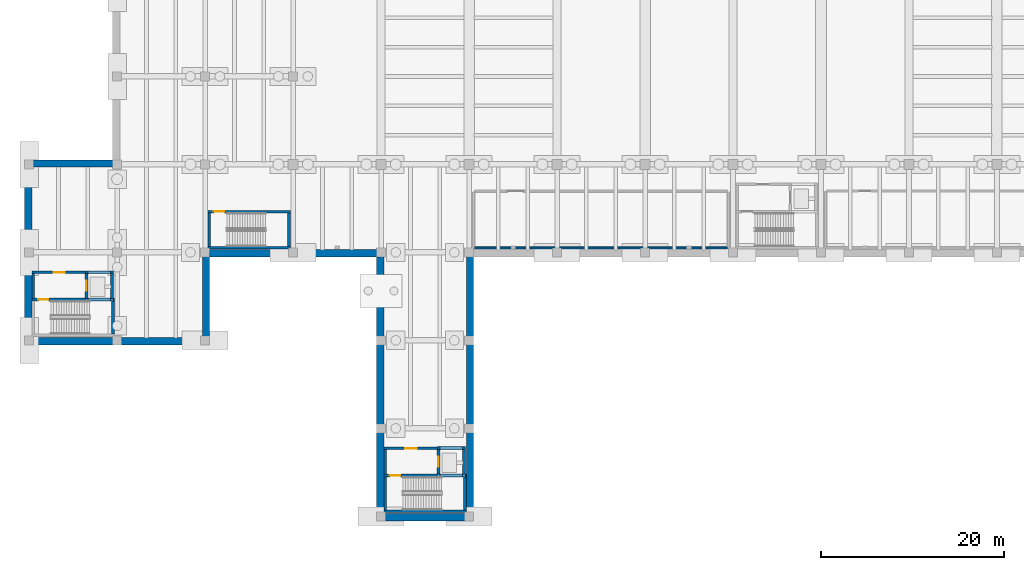
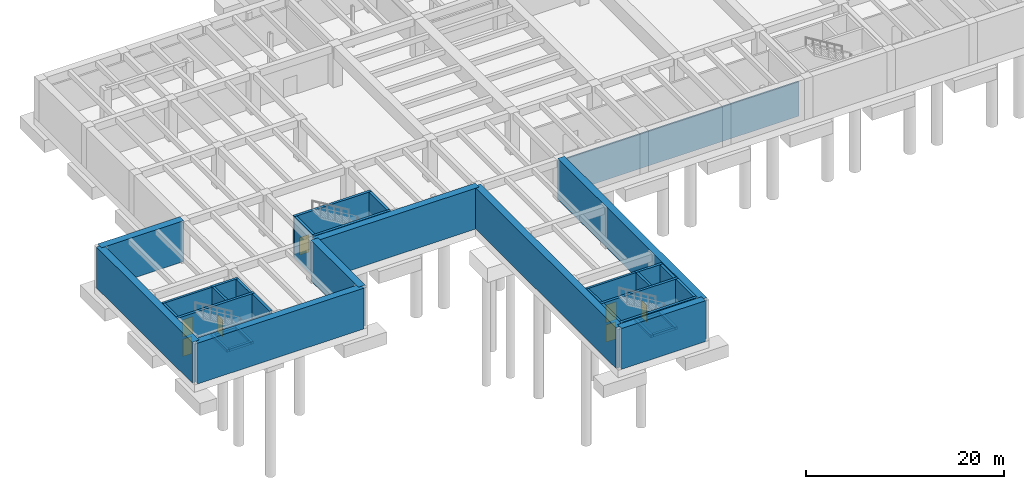
# One storey, part 9 of 24: 37 walls, 7 doors, 7 openings.
"""IFC4 building model written with IfcOpenShell, lengths in metres."""

from ifc_helpers import new_model, si_unit, direction, frame, frame_2d, origin, place, context, subcontext, project, spatial, rectangle, extrude, material, layer, layer_set, type_object, element, fill, save


model = new_model("IFC4")

# Units and contexts
model_context = context("Model", 3, precision=1e-05, world=origin(), true_north=direction((0.0, 1.0)))
body_context = subcontext(model_context, "Body", "Model", "MODEL_VIEW")
ifc_project = project(units=[si_unit("LENGTHUNIT", "METRE"), si_unit("AREAUNIT", "SQUARE_METRE"), si_unit("VOLUMEUNIT", "CUBIC_METRE"), si_unit("PLANEANGLEUNIT", "RADIAN"), si_unit("MASSUNIT", "GRAM", prefix="KILO")], contexts=[model_context])

# Site, building, storey
site_placement = place(None, origin())
site = spatial("IfcSite", under=ifc_project, at=site_placement, CompositionType="ELEMENT")
building_placement = place(site_placement, origin())
building = spatial("IfcBuilding", under=site, at=building_placement, Name="Coralgate Yard Interchange", CompositionType="ELEMENT")
storey_placement = place(building_placement, frame((0.0, 0.0, -10.800048828125)))
storey = spatial("IfcBuildingStorey", under=building, at=storey_placement, Name="B2", CompositionType="ELEMENT", Elevation=-10.800048828125)

# Wall, opening, door
ifc_material_1 = material(Name="Concrete C40/50", Category="concrete")
ifc_layer_1 = layer(ifc_material_1, 0.300048828125)
ifc_layer_set_1 = layer_set([ifc_layer_1], Name="Concrete C40/50")
wall_type_1 = type_object("IfcWallType", Name="WAL-CW300", PredefinedType="SHEAR", material=ifc_layer_set_1)
wall_1_placement = place(storey_placement, frame((18.89990234375, 33.25, 0.0), z_axis=(0.0, 0.0, 1.0), x_axis=(-1.0, 0.0, 0.0)))
wall_1 = element("IfcWall", 1, at=wall_1_placement, inside=storey, type_object=wall_type_1, Name="C1 B2 stair north shear wall", PredefinedType="SHEAR", context=body_context, shape_type="SweptSolid", body=[
    extrude(rectangle(XDim=9.0, YDim=0.300048828125, at=frame_2d((4.5, 0.0))), origin(), (0.0, 0.0, 1.0), 5.050048828125),
])
opening_1_placement = place(wall_1_placement, frame((7.199951171875, 0.0, 0.0)))
opening_1 = element("IfcOpeningElement", 2, at=opening_1_placement, cuts=wall_1, Name="Opening FD-1", PredefinedType="OPENING", context=body_context, shape_type="SweptSolid", body=[
    extrude(rectangle(XDim=1.10009765625, YDim=2.14990234375, at=frame_2d((0.550048828125, 1.074951171875))), frame((0.0, 0.159912109375, 0.0), z_axis=(0.0, -1.0, 0.0), x_axis=(1.0, 0.0, 0.0)), (0.0, 0.0, 1.0), 0.320068359375),
])
ifc_material_2 = material(Name="Powder-coated steel fire door assembly", Category="steel")
door_type_1 = type_object("IfcDoorType", Name="DOR-FD-1", OperationType="NOTDEFINED", PredefinedType="DOOR", material=ifc_material_2)
door_1_placement = place(opening_1_placement, frame((1.10009765625, 0.0, 0.0), z_axis=(0.0, 0.0, 1.0), x_axis=(-1.0, 0.0, 0.0)))
door_1 = element("IfcDoor", 3, at=door_1_placement, inside=storey, type_object=door_type_1, Name="C1 B2 stair fire door", OperationType="SINGLE_SWING_LEFT", OverallHeight=2.14990234375, OverallWidth=1.10009765625, PredefinedType="DOOR", context=body_context, shape_type="SweptSolid", body=[
    extrude(rectangle(XDim=1.10009765625, YDim=2.14990234375, at=frame_2d((0.550048828125, 1.074951171875))), frame((0.0, 0.02490234375, 0.0), z_axis=(0.0, -1.0, 0.0), x_axis=(1.0, 0.0, 0.0)), (0.0, 0.0, 1.0), 0.050048828125),
])
fill(opening_1, door_1)

# Wall
wall_2_placement = place(storey_placement, frame((18.75, 33.10009765625, 0.0), z_axis=(0.0, 0.0, 1.0), x_axis=(0.0, -1.0, 0.0)))
element("IfcWall", 4, at=wall_2_placement, inside=storey, type_object=wall_type_1, Name="C1 B2 stair east shear wall", PredefinedType="SHEAR", context=body_context, shape_type="SweptSolid", body=[
    extrude(rectangle(XDim=3.580078125, YDim=0.300048828125, at=frame_2d((1.7900390625, 0.0))), origin(), (0.0, 0.0, 1.0), 5.050048828125),
])

# Wall, opening, door
wall_3_placement = place(storey_placement, frame((15.85009765625, 36.10009765625, 0.0), z_axis=(0.0, 0.0, 1.0), x_axis=(0.0, -1.0, 0.0)))
wall_3 = element("IfcWall", 5, at=wall_3_placement, inside=storey, type_object=wall_type_1, Name="C1 B2 lift front shear wall", PredefinedType="SHEAR", context=body_context, shape_type="SweptSolid", body=[
    extrude(rectangle(XDim=2.7001953125, YDim=0.300048828125, at=frame_2d((1.35009765625, 0.0))), origin(), (0.0, 0.0, 1.0), 5.050048828125),
])
opening_2_placement = place(wall_3_placement, frame((0.800048828125, 0.0, 0.0)))
opening_2 = element("IfcOpeningElement", 6, at=opening_2_placement, cuts=wall_3, Name="Opening LD-1", PredefinedType="OPENING", context=body_context, shape_type="SweptSolid", body=[
    extrude(rectangle(XDim=1.10009765625, YDim=2.10009765625, at=frame_2d((0.550048828125, 1.050048828125))), frame((0.0, 0.159912109375, 0.0), z_axis=(0.0, -1.0, 0.0), x_axis=(1.0, 0.0, 0.0)), (0.0, 0.0, 1.0), 0.320068359375),
])
ifc_material_3 = material(Name="Brushed stainless steel firefighting lift landing door", Category="steel")
door_type_2 = type_object("IfcDoorType", Name="DOR-LD-1", OperationType="DOUBLE_DOOR_SLIDING", PredefinedType="DOOR", material=ifc_material_3)
door_2_placement = place(opening_2_placement, frame((1.10009765625, 0.0, 0.0), z_axis=(0.0, 0.0, 1.0), x_axis=(-1.0, 0.0, 0.0)))
door_2 = element("IfcDoor", 7, at=door_2_placement, inside=storey, type_object=door_type_2, Name="FFL-01 B2 sliding lift landing door", OperationType="DOUBLE_DOOR_SLIDING", OverallHeight=2.10009765625, OverallWidth=1.10009765625, PredefinedType="DOOR", context=body_context, shape_type="SweptSolid", body=[
    extrude(rectangle(XDim=1.10009765625, YDim=2.10009765625, at=frame_2d((0.550048828125, 1.050048828125))), frame((0.0, 0.02490234375, 0.0), z_axis=(0.0, -1.0, 0.0), x_axis=(1.0, 0.0, 0.0)), (0.0, 0.0, 1.0), 0.050048828125),
])
fill(opening_2, door_2)

# Walls
wall_4_placement = place(storey_placement, frame((18.64990234375, 33.39990234375, 0.0), z_axis=(0.0, 0.0, 1.0), x_axis=(0.0, 1.0, 0.0)))
element("IfcWall", 8, at=wall_4_placement, inside=storey, type_object=wall_type_1, Name="C1 B2 lift rear shear wall", PredefinedType="SHEAR", context=body_context, shape_type="SweptSolid", body=[
    extrude(rectangle(XDim=2.7001953125, YDim=0.300048828125, at=frame_2d((1.35009765625, 0.0))), origin(), (0.0, 0.0, 1.0), 5.050048828125),
])
wall_5_placement = place(storey_placement, frame((15.699951171875, 36.25, 0.0), z_axis=(0.0, 0.0, 1.0), x_axis=(1.0, 0.0, 0.0)))
element("IfcWall", 9, at=wall_5_placement, inside=storey, type_object=wall_type_1, Name="C1 B2 lift north shear wall", PredefinedType="SHEAR", context=body_context, shape_type="SweptSolid", body=[
    extrude(rectangle(XDim=3.10009765625, YDim=0.300048828125, at=frame_2d((1.550048828125, 0.0))), origin(), (0.0, 0.0, 1.0), 5.050048828125),
])
for number, where, z_axis, x_axis, name in (
    (10, (15.85009765625, 33.10009765625, -1.199951171875), (0.0, 0.0, 1.0), (0.0, 1.0, 0.0), "FFL-01 lift pit wall W"),
    (11, (18.64990234375, 33.10009765625, -1.199951171875), (0.0, 0.0, 1.0), (0.0, 1.0, 0.0), "FFL-01 lift pit wall E"),
):
    element("IfcWall", number, at=place(storey_placement, frame(where, z_axis=z_axis, x_axis=x_axis)), inside=storey, type_object=wall_type_1, Name=name, PredefinedType="SHEAR", context=body_context, shape_type="SweptSolid", body=[
        extrude(rectangle(XDim=3.2998046875, YDim=0.300048828125, at=frame_2d((1.64990234375, 0.0))), origin(), (0.0, 0.0, 1.0), 0.320068359375),
    ])
for number, where, z_axis, x_axis, name in (
    (12, (16.0, 33.25, -1.199951171875), (0.0, 0.0, 1.0), (1.0, 0.0, 0.0), "FFL-01 lift pit wall S"),
    (13, (16.0, 36.25, -1.199951171875), (0.0, 0.0, 1.0), (1.0, 0.0, 0.0), "FFL-01 lift pit wall N"),
):
    element("IfcWall", number, at=place(storey_placement, frame(where, z_axis=z_axis, x_axis=x_axis)), inside=storey, type_object=wall_type_1, Name=name, PredefinedType="SHEAR", context=body_context, shape_type="SweptSolid", body=[
        extrude(rectangle(XDim=2.5, YDim=0.300048828125, at=frame_2d((1.25, 0.0))), origin(), (0.0, 0.0, 1.0), 0.320068359375),
    ])
wall_6_placement = place(storey_placement, frame((29.10009765625, 38.89990234375, 0.0), z_axis=(0.0, 0.0, 1.0), x_axis=(1.0, 0.0, 0.0)))
element("IfcWall", 14, at=wall_6_placement, inside=storey, type_object=wall_type_1, Name="C12 B2 stair south shear wall", PredefinedType="SHEAR", context=body_context, shape_type="SweptSolid", body=[
    extrude(rectangle(XDim=9.0, YDim=0.300048828125, at=frame_2d((4.5, 0.0))), origin(), (0.0, 0.0, 1.0), 5.050048828125),
])

# Wall, opening, door
wall_7_placement = place(storey_placement, frame((38.10009765625, 42.85009765625, 0.0), z_axis=(0.0, 0.0, 1.0), x_axis=(-1.0, 0.0, 0.0)))
wall_7 = element("IfcWall", 15, at=wall_7_placement, inside=storey, type_object=wall_type_1, Name="C12 B2 stair north shear wall", PredefinedType="SHEAR", context=body_context, shape_type="SweptSolid", body=[
    extrude(rectangle(XDim=9.0, YDim=0.300048828125, at=frame_2d((4.5, 0.0))), origin(), (0.0, 0.0, 1.0), 5.050048828125),
])
opening_3_placement = place(wall_7_placement, frame((7.199951171875, 0.0, 0.0)))
opening_3 = element("IfcOpeningElement", 16, at=opening_3_placement, cuts=wall_7, Name="Opening FD-1B", PredefinedType="OPENING", context=body_context, shape_type="SweptSolid", body=[
    extrude(rectangle(XDim=1.14990234375, YDim=2.14990234375, at=frame_2d((0.574951171875, 1.074951171875))), frame((0.0, 0.159912109375, 0.0), z_axis=(0.0, -1.0, 0.0), x_axis=(1.0, 0.0, 0.0)), (0.0, 0.0, 1.0), 0.320068359375),
])
door_type_3 = type_object("IfcDoorType", Name="DOR-FD-1B", OperationType="NOTDEFINED", PredefinedType="DOOR", material=ifc_material_2)
door_3_placement = place(opening_3_placement, frame((1.14990234375, 0.0, 0.0), z_axis=(0.0, 0.0, 1.0), x_axis=(-1.0, 0.0, 0.0)))
door_3 = element("IfcDoor", 17, at=door_3_placement, inside=storey, type_object=door_type_3, Name="C12 B2 stair fire door", OperationType="SINGLE_SWING_RIGHT", OverallHeight=2.14990234375, OverallWidth=1.14990234375, PredefinedType="DOOR", context=body_context, shape_type="SweptSolid", body=[
    extrude(rectangle(XDim=1.14990234375, YDim=2.14990234375, at=frame_2d((0.574951171875, 1.074951171875))), frame((0.0, 0.02490234375, 0.0), z_axis=(0.0, -1.0, 0.0), x_axis=(1.0, 0.0, 0.0)), (0.0, 0.0, 1.0), 0.050048828125),
])
fill(opening_3, door_3)

# Walls
for number, where, z_axis, x_axis, name in (
    (18, (29.25, 39.050048828125, 0.0), (0.0, 0.0, 1.0), (0.0, 1.0, 0.0), "C12 B2 stair west shear wall"),
    (19, (37.949951171875, 42.699951171875, 0.0), (0.0, 0.0, 1.0), (0.0, -1.0, 0.0), "C12 B2 stair east shear wall"),
):
    element("IfcWall", number, at=place(storey_placement, frame(where, z_axis=z_axis, x_axis=x_axis)), inside=storey, type_object=wall_type_1, Name=name, PredefinedType="SHEAR", context=body_context, shape_type="SweptSolid", body=[
        extrude(rectangle(XDim=3.64990234375, YDim=0.300048828125, at=frame_2d((1.824951171875, 0.0))), origin(), (0.0, 0.0, 1.0), 5.050048828125),
    ])
wall_8_placement = place(storey_placement, frame((48.300048828125, 10.169921875, 0.0), z_axis=(0.0, 0.0, 1.0), x_axis=(1.0, 0.0, 0.0)))
element("IfcWall", 20, at=wall_8_placement, inside=storey, type_object=wall_type_1, Name="C2 B2 stair south shear wall", PredefinedType="SHEAR", context=body_context, shape_type="SweptSolid", body=[
    extrude(rectangle(XDim=9.0, YDim=0.300048828125, at=frame_2d((4.5, 0.0))), origin(), (0.0, 0.0, 1.0), 5.050048828125),
])

# Wall, opening, door
wall_9_placement = place(storey_placement, frame((57.300048828125, 14.050048828125, 0.0), z_axis=(0.0, 0.0, 1.0), x_axis=(-1.0, 0.0, 0.0)))
wall_9 = element("IfcWall", 21, at=wall_9_placement, inside=storey, type_object=wall_type_1, Name="C2 B2 stair north shear wall", PredefinedType="SHEAR", context=body_context, shape_type="SweptSolid", body=[
    extrude(rectangle(XDim=9.0, YDim=0.300048828125, at=frame_2d((4.5, 0.0))), origin(), (0.0, 0.0, 1.0), 5.050048828125),
])
opening_4_placement = place(wall_9_placement, frame((7.199951171875, 0.0, 0.0)))
opening_4 = element("IfcOpeningElement", 22, at=opening_4_placement, cuts=wall_9, Name="Opening FD-1B", PredefinedType="OPENING", context=body_context, shape_type="SweptSolid", body=[
    extrude(rectangle(XDim=1.14990234375, YDim=2.14990234375, at=frame_2d((0.574951171875, 1.074951171875))), frame((0.0, 0.159912109375, 0.0), z_axis=(0.0, -1.0, 0.0), x_axis=(1.0, 0.0, 0.0)), (0.0, 0.0, 1.0), 0.320068359375),
])
door_4_placement = place(opening_4_placement, frame((1.14990234375, 0.0, 0.0), z_axis=(0.0, 0.0, 1.0), x_axis=(-1.0, 0.0, 0.0)))
door_4 = element("IfcDoor", 23, at=door_4_placement, inside=storey, type_object=door_type_3, Name="C2 B2 stair fire door", OperationType="SINGLE_SWING_RIGHT", OverallHeight=2.14990234375, OverallWidth=1.14990234375, PredefinedType="DOOR", context=body_context, shape_type="SweptSolid", body=[
    extrude(rectangle(XDim=1.14990234375, YDim=2.14990234375, at=frame_2d((0.574951171875, 1.074951171875))), frame((0.0, 0.02490234375, 0.0), z_axis=(0.0, -1.0, 0.0), x_axis=(1.0, 0.0, 0.0)), (0.0, 0.0, 1.0), 0.050048828125),
])
fill(opening_4, door_4)

# Walls
for number, where, z_axis, x_axis, name in (
    (24, (48.449951171875, 10.320068359375, 0.0), (0.0, 0.0, 1.0), (0.0, 1.0, 0.0), "C2 B2 stair west shear wall"),
    (25, (57.14990234375, 13.89990234375, 0.0), (0.0, 0.0, 1.0), (0.0, -1.0, 0.0), "C2 B2 stair east shear wall"),
):
    element("IfcWall", number, at=place(storey_placement, frame(where, z_axis=z_axis, x_axis=x_axis)), inside=storey, type_object=wall_type_1, Name=name, PredefinedType="SHEAR", context=body_context, shape_type="SweptSolid", body=[
        extrude(rectangle(XDim=3.579833984375, YDim=0.300048828125, at=frame_2d((1.7900390625, 0.0))), origin(), (0.0, 0.0, 1.0), 5.050048828125),
    ])

# Wall, opening, door
wall_10_placement = place(storey_placement, frame((54.25, 16.89990234375, 0.0), z_axis=(0.0, 0.0, 1.0), x_axis=(0.0, -1.0, 0.0)))
wall_10 = element("IfcWall", 26, at=wall_10_placement, inside=storey, type_object=wall_type_1, Name="C2 B2 lift front shear wall", PredefinedType="SHEAR", context=body_context, shape_type="SweptSolid", body=[
    extrude(rectangle(XDim=2.699951171875, YDim=0.300048828125, at=frame_2d((1.35009765625, 0.0))), origin(), (0.0, 0.0, 1.0), 5.050048828125),
])
opening_5_placement = place(wall_10_placement, frame((0.800048828125, 0.0, 0.0)))
opening_5 = element("IfcOpeningElement", 27, at=opening_5_placement, cuts=wall_10, Name="Opening LD-1", PredefinedType="OPENING", context=body_context, shape_type="SweptSolid", body=[
    extrude(rectangle(XDim=1.10009765625, YDim=2.10009765625, at=frame_2d((0.550048828125, 1.050048828125))), frame((0.0, 0.159912109375, 0.0), z_axis=(0.0, -1.0, 0.0), x_axis=(1.0, 0.0, 0.0)), (0.0, 0.0, 1.0), 0.320068359375),
])
door_5_placement = place(opening_5_placement, frame((1.10009765625, 0.0, 0.0), z_axis=(0.0, 0.0, 1.0), x_axis=(-1.0, 0.0, 0.0)))
door_5 = element("IfcDoor", 28, at=door_5_placement, inside=storey, type_object=door_type_2, Name="FFL-02 B2 sliding lift landing door", OperationType="DOUBLE_DOOR_SLIDING", OverallHeight=2.10009765625, OverallWidth=1.10009765625, PredefinedType="DOOR", context=body_context, shape_type="SweptSolid", body=[
    extrude(rectangle(XDim=1.10009765625, YDim=2.10009765625, at=frame_2d((0.550048828125, 1.050048828125))), frame((0.0, 0.02490234375, 0.0), z_axis=(0.0, -1.0, 0.0), x_axis=(1.0, 0.0, 0.0)), (0.0, 0.0, 1.0), 0.050048828125),
])
fill(opening_5, door_5)

# Walls
wall_11_placement = place(storey_placement, frame((57.050048828125, 14.199951171875, 0.0), z_axis=(0.0, 0.0, 1.0), x_axis=(0.0, 1.0, 0.0)))
element("IfcWall", 29, at=wall_11_placement, inside=storey, type_object=wall_type_1, Name="C2 B2 lift rear shear wall", PredefinedType="SHEAR", context=body_context, shape_type="SweptSolid", body=[
    extrude(rectangle(XDim=2.699951171875, YDim=0.300048828125, at=frame_2d((1.35009765625, 0.0))), origin(), (0.0, 0.0, 1.0), 5.050048828125),
])
wall_12_placement = place(storey_placement, frame((54.10009765625, 17.050048828125, 0.0), z_axis=(0.0, 0.0, 1.0), x_axis=(1.0, 0.0, 0.0)))
element("IfcWall", 30, at=wall_12_placement, inside=storey, type_object=wall_type_1, Name="C2 B2 lift north shear wall", PredefinedType="SHEAR", context=body_context, shape_type="SweptSolid", body=[
    extrude(rectangle(XDim=3.099853515625, YDim=0.300048828125, at=frame_2d((1.5498046875, 0.0))), origin(), (0.0, 0.0, 1.0), 5.050048828125),
])
for number, where, z_axis, x_axis, name in (
    (31, (54.25, 13.89990234375, -1.199951171875), (0.0, 0.0, 1.0), (0.0, 1.0, 0.0), "FFL-02 lift pit wall W"),
    (32, (57.050048828125, 13.89990234375, -1.199951171875), (0.0, 0.0, 1.0), (0.0, 1.0, 0.0), "FFL-02 lift pit wall E"),
):
    element("IfcWall", number, at=place(storey_placement, frame(where, z_axis=z_axis, x_axis=x_axis)), inside=storey, type_object=wall_type_1, Name=name, PredefinedType="SHEAR", context=body_context, shape_type="SweptSolid", body=[
        extrude(rectangle(XDim=3.300048828125, YDim=0.300048828125, at=frame_2d((1.64990234375, 0.0))), origin(), (0.0, 0.0, 1.0), 0.320068359375),
    ])
for number, where, z_axis, x_axis, name in (
    (33, (54.39990234375, 14.050048828125, -1.199951171875), (0.0, 0.0, 1.0), (1.0, 0.0, 0.0), "FFL-02 lift pit wall S"),
    (34, (54.39990234375, 17.050048828125, -1.199951171875), (0.0, 0.0, 1.0), (1.0, 0.0, 0.0), "FFL-02 lift pit wall N"),
):
    element("IfcWall", number, at=place(storey_placement, frame(where, z_axis=z_axis, x_axis=x_axis)), inside=storey, type_object=wall_type_1, Name=name, PredefinedType="SHEAR", context=body_context, shape_type="SweptSolid", body=[
        extrude(rectangle(XDim=2.5, YDim=0.300048828125, at=frame_2d((1.25, 0.0))), origin(), (0.0, 0.0, 1.0), 0.320068359375),
    ])
ifc_layer_2 = layer(ifc_material_1, 0.800048828125)
ifc_layer_set_2 = layer_set([ifc_layer_2], Name="Concrete C40/50")
wall_type_2 = type_object("IfcWallType", Name="WAL-DW800", PredefinedType="SOLIDWALL", material=ifc_layer_set_2)
wall_13_placement = place(storey_placement, frame((47.89990234375, 38.300048828125, 0.0), z_axis=(0.0, 0.0, 1.0), x_axis=(-1.0, 0.0, 0.0)))
element("IfcWall", 35, at=wall_13_placement, inside=storey, type_object=wall_type_2, Name="B2 diaphragm retaining wall 1", PredefinedType="SOLIDWALL", context=body_context, shape_type="SweptSolid", body=[
    extrude(rectangle(XDim=19.0, YDim=0.800048828125, at=frame_2d((9.5, 0.0))), origin(), (0.0, 0.0, 1.0), 5.050048828125),
])
wall_14_placement = place(storey_placement, frame((28.89990234375, 38.300048828125, 0.0), z_axis=(0.0, 0.0, 1.0), x_axis=(0.0, -1.0, 0.0)))
element("IfcWall", 36, at=wall_14_placement, inside=storey, type_object=wall_type_2, Name="B2 diaphragm retaining wall 2", PredefinedType="SOLIDWALL", context=body_context, shape_type="SweptSolid", body=[
    extrude(rectangle(XDim=9.60009765625, YDim=0.800048828125, at=frame_2d((4.800048828125, 0.0))), origin(), (0.0, 0.0, 1.0), 5.050048828125),
])
wall_15_placement = place(storey_placement, frame((28.89990234375, 28.699951171875, 0.0), z_axis=(0.0, 0.0, 1.0), x_axis=(-1.0, 0.0, 0.0)))
element("IfcWall", 37, at=wall_15_placement, inside=storey, type_object=wall_type_2, Name="B2 diaphragm retaining wall 3", PredefinedType="SOLIDWALL", context=body_context, shape_type="SweptSolid", body=[
    extrude(rectangle(XDim=19.39990234375, YDim=0.800048828125, at=frame_2d((9.699951171875, 0.0))), origin(), (0.0, 0.0, 1.0), 5.050048828125),
])
wall_16_placement = place(storey_placement, frame((9.5, 28.699951171875, 0.0), z_axis=(0.0, 0.0, 1.0), x_axis=(0.0, 1.0, 0.0)))
element("IfcWall", 38, at=wall_16_placement, inside=storey, type_object=wall_type_2, Name="B2 diaphragm retaining wall 4", PredefinedType="SOLIDWALL", context=body_context, shape_type="SweptSolid", body=[
    extrude(rectangle(XDim=19.400146484375, YDim=0.800048828125, at=frame_2d((9.7001953125, 0.0))), origin(), (0.0, 0.0, 1.0), 5.050048828125),
])
wall_17_placement = place(storey_placement, frame((9.5, 48.10009765625, 0.0), z_axis=(0.0, 0.0, 1.0), x_axis=(1.0, 0.0, 0.0)))
element("IfcWall", 39, at=wall_17_placement, inside=storey, type_object=wall_type_2, Name="B2 diaphragm retaining wall 5", PredefinedType="SOLIDWALL", context=body_context, shape_type="SweptSolid", body=[
    extrude(rectangle(XDim=9.60009765625, YDim=0.800048828125, at=frame_2d((4.800048828125, 0.0))), origin(), (0.0, 0.0, 1.0), 5.050048828125),
])
wall_18_placement = place(storey_placement, frame((57.699951171875, 38.300048828125, 0.0), z_axis=(0.0, 0.0, 1.0), x_axis=(0.0, -1.0, 0.0)))
element("IfcWall", 40, at=wall_18_placement, inside=storey, type_object=wall_type_2, Name="B2 diaphragm retaining wall 14", PredefinedType="SOLIDWALL", context=body_context, shape_type="SweptSolid", body=[
    extrude(rectangle(XDim=28.800048828125, YDim=0.800048828125, at=frame_2d((14.39990234375, 0.0))), origin(), (0.0, 0.0, 1.0), 5.050048828125),
])
wall_19_placement = place(storey_placement, frame((57.699951171875, 9.5, 0.0), z_axis=(0.0, 0.0, 1.0), x_axis=(-1.0, 0.0, 0.0)))
element("IfcWall", 41, at=wall_19_placement, inside=storey, type_object=wall_type_2, Name="B2 diaphragm retaining wall 15", PredefinedType="SOLIDWALL", context=body_context, shape_type="SweptSolid", body=[
    extrude(rectangle(XDim=9.800048828125, YDim=0.800048828125, at=frame_2d((4.89990234375, 0.0))), origin(), (0.0, 0.0, 1.0), 5.050048828125),
])
wall_20_placement = place(storey_placement, frame((47.89990234375, 9.5, 0.0), z_axis=(0.0, 0.0, 1.0), x_axis=(0.0, 1.0, 0.0)))
element("IfcWall", 42, at=wall_20_placement, inside=storey, type_object=wall_type_2, Name="B2 diaphragm retaining wall 16", PredefinedType="SOLIDWALL", context=body_context, shape_type="SweptSolid", body=[
    extrude(rectangle(XDim=28.800048828125, YDim=0.800048828125, at=frame_2d((14.39990234375, 0.0))), origin(), (0.0, 0.0, 1.0), 5.050048828125),
])
ifc_material_4 = material(Name="Heavy acoustic concrete blockwork", Category="masonry")
ifc_layer_3 = layer(ifc_material_4, 0.2099609375)
ifc_layer_set_3 = layer_set([ifc_layer_3], Name="Heavy acoustic concrete blockwork")
wall_type_3 = type_object("IfcWallType", Name="WAL-PW-210", PredefinedType="PARTITIONING", material=ifc_layer_set_3)
wall_21_placement = place(storey_placement, frame((85.7900390625, 38.905029296875, 0.0), z_axis=(0.0, 0.0, 1.0), x_axis=(-1.0, 0.0, 0.0)))
element("IfcWall", 43, at=wall_21_placement, inside=storey, type_object=wall_type_3, Name="South Under-Platform Fan Plant partition S", PredefinedType="PARTITIONING", context=body_context, shape_type="SweptSolid", body=[
    extrude(rectangle(XDim=27.580078125, YDim=0.2099609375, at=frame_2d((13.7900390625, 0.0))), origin(), (0.0, 0.0, 1.0), 4.239990234375),
])

# Wall, opening, door
ifc_layer_4 = layer(ifc_material_1, 0.25)
ifc_layer_set_4 = layer_set([ifc_layer_4], Name="Concrete C40/50")
wall_type_4 = type_object("IfcWallType", Name="WAL-SW250", PredefinedType="SHEAR", material=ifc_layer_set_4)
wall_22_placement = place(storey_placement, frame((15.699951171875, 36.22509765625, 0.0), z_axis=(0.0, 0.0, 1.0), x_axis=(-1.0, 0.0, 0.0)))
wall_22 = element("IfcWall", 44, at=wall_22_placement, inside=storey, type_object=wall_type_4, Name="C1 B2 lobby north fire wall", PredefinedType="SHEAR", context=body_context, shape_type="SweptSolid", body=[
    extrude(rectangle(XDim=5.77490234375, YDim=0.25, at=frame_2d((2.887451171875, 0.0))), origin(), (0.0, 0.0, 1.0), 5.050048828125),
])
opening_6_placement = place(wall_22_placement, frame((2.199951171875, 0.0, 0.0)))
opening_6 = element("IfcOpeningElement", 45, at=opening_6_placement, cuts=wall_22, Name="Opening FD-2", PredefinedType="OPENING", context=body_context, shape_type="SweptSolid", body=[
    extrude(rectangle(XDim=1.199951171875, YDim=2.14990234375, at=frame_2d((0.60009765625, 1.074951171875))), frame((0.0, 0.135009765625, 0.0), z_axis=(0.0, -1.0, 0.0), x_axis=(1.0, 0.0, 0.0)), (0.0, 0.0, 1.0), 0.27001953125),
])
door_type_4 = type_object("IfcDoorType", Name="DOR-FD-2", OperationType="NOTDEFINED", PredefinedType="DOOR", material=ifc_material_2)
door_6_placement = place(opening_6_placement, origin())
door_6 = element("IfcDoor", 46, at=door_6_placement, inside=storey, type_object=door_type_4, Name="C1 B2 lobby fire door", OperationType="SINGLE_SWING_RIGHT", OverallHeight=2.14990234375, OverallWidth=1.199951171875, PredefinedType="DOOR", context=body_context, shape_type="SweptSolid", body=[
    extrude(rectangle(XDim=1.199951171875, YDim=2.14990234375, at=frame_2d((0.60009765625, 1.074951171875))), frame((0.0, 0.02490234375, 0.0), z_axis=(0.0, -1.0, 0.0), x_axis=(1.0, 0.0, 0.0)), (0.0, 0.0, 1.0), 0.050048828125),
])
fill(opening_6, door_6)

# Wall
wall_23_placement = place(storey_placement, frame((10.050048828125, 33.39990234375, 0.0), z_axis=(0.0, 0.0, 1.0), x_axis=(0.0, 1.0, 0.0)))
element("IfcWall", 47, at=wall_23_placement, inside=storey, type_object=wall_type_4, Name="C1 B2 lobby west fire wall", PredefinedType="SHEAR", context=body_context, shape_type="SweptSolid", body=[
    extrude(rectangle(XDim=2.7001953125, YDim=0.25, at=frame_2d((1.35009765625, 0.0))), origin(), (0.0, 0.0, 1.0), 5.050048828125),
])

# Wall, opening, door
wall_24_placement = place(storey_placement, frame((54.10009765625, 17.02490234375, 0.0), z_axis=(0.0, 0.0, 1.0), x_axis=(-1.0, 0.0, 0.0)))
wall_24 = element("IfcWall", 48, at=wall_24_placement, inside=storey, type_object=wall_type_4, Name="C2 B2 lobby north fire wall", PredefinedType="SHEAR", context=body_context, shape_type="SweptSolid", body=[
    extrude(rectangle(XDim=5.775146484375, YDim=0.25, at=frame_2d((2.8876953125, 0.0))), origin(), (0.0, 0.0, 1.0), 5.050048828125),
])
opening_7_placement = place(wall_24_placement, frame((2.199951171875, 0.0, 0.0)))
opening_7 = element("IfcOpeningElement", 49, at=opening_7_placement, cuts=wall_24, Name="Opening FD-2B", PredefinedType="OPENING", context=body_context, shape_type="SweptSolid", body=[
    extrude(rectangle(XDim=1.280029296875, YDim=2.199951171875, at=frame_2d((0.64013671875, 1.10009765625))), frame((0.0, 0.135009765625, 0.0), z_axis=(0.0, -1.0, 0.0), x_axis=(1.0, 0.0, 0.0)), (0.0, 0.0, 1.0), 0.27001953125),
])
door_type_5 = type_object("IfcDoorType", Name="DOR-FD-2B", OperationType="NOTDEFINED", PredefinedType="DOOR", material=ifc_material_2)
door_7_placement = place(opening_7_placement, origin())
door_7 = element("IfcDoor", 50, at=door_7_placement, inside=storey, type_object=door_type_5, Name="C2 B2 lobby fire door", OperationType="SINGLE_SWING_LEFT", OverallHeight=2.199951171875, OverallWidth=1.280029296875, PredefinedType="DOOR", context=body_context, shape_type="SweptSolid", body=[
    extrude(rectangle(XDim=1.280029296875, YDim=2.199951171875, at=frame_2d((0.64013671875, 1.10009765625))), frame((0.0, 0.02490234375, 0.0), z_axis=(0.0, -1.0, 0.0), x_axis=(1.0, 0.0, 0.0)), (0.0, 0.0, 1.0), 0.050048828125),
])
fill(opening_7, door_7)

# Wall
wall_25_placement = place(storey_placement, frame((48.449951171875, 14.199951171875, 0.0), z_axis=(0.0, 0.0, 1.0), x_axis=(0.0, 1.0, 0.0)))
element("IfcWall", 51, at=wall_25_placement, inside=storey, type_object=wall_type_4, Name="C2 B2 lobby west fire wall", PredefinedType="SHEAR", context=body_context, shape_type="SweptSolid", body=[
    extrude(rectangle(XDim=2.699951171875, YDim=0.25, at=frame_2d((1.35009765625, 0.0))), origin(), (0.0, 0.0, 1.0), 5.050048828125),
])

save(model, "model.ifc")
